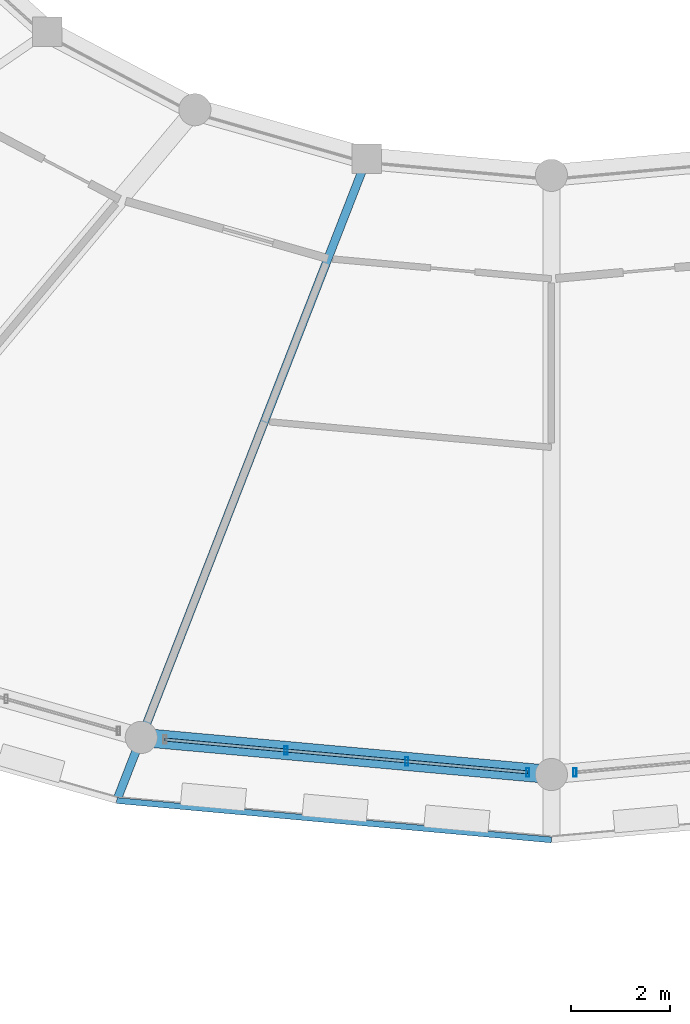
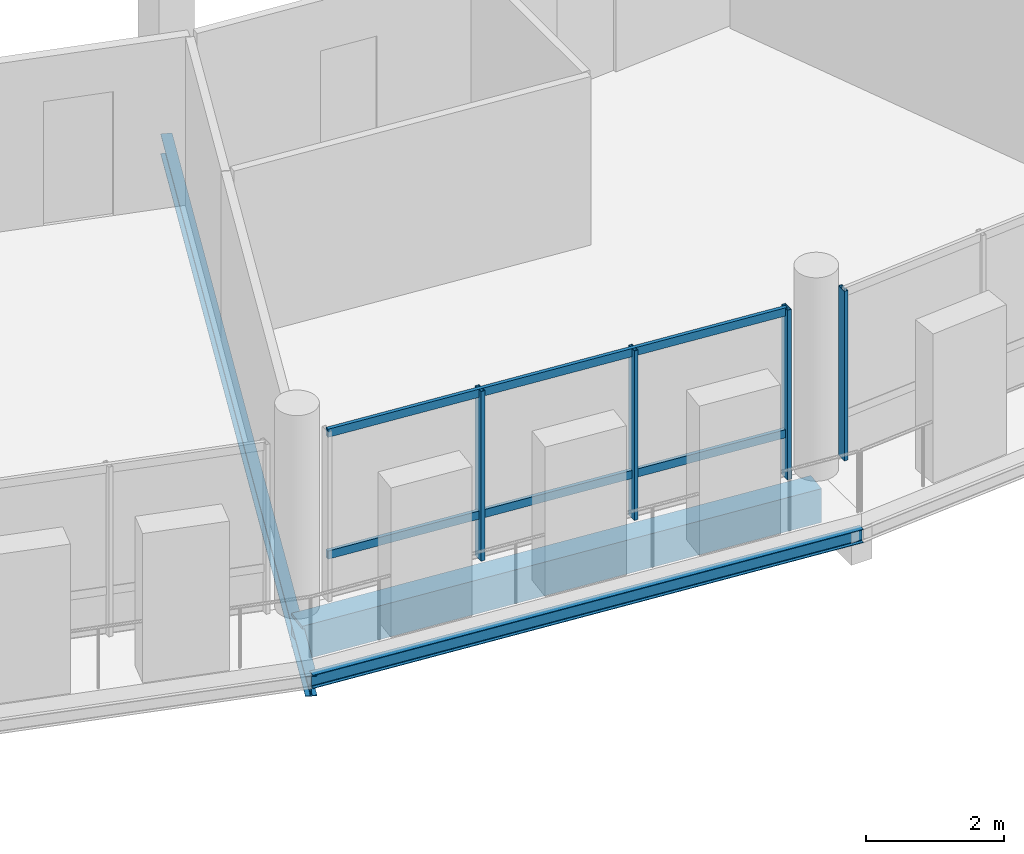
# One storey, part 22 of 93: 6 members, 3 beams, 2 elements without a shape of their own.
"""IFC4 building model written with IfcOpenShell, lengths in metres."""

import ifcopenshell
import ifcopenshell.guid

model = None  # the IFC model being written
_history = None  # IfcOwnerHistory: only IFC2X3 demands one
_inside = {}  # id of a spatial element -> (the spatial element, [elements in it])
_under = {}  # id of a project, library or spatial element -> (it, [spatial elements below it])
_declared = {}  # id of a project -> (the project, [libraries it declares])
_typed = {}  # id of a type object -> (the type object, [elements of that type])
_made_of = {}  # id of a material, layer set ... -> (it, [elements and type objects made of it])


def new_model(schema):
    """Start an empty IFC model of exactly this schema.

    Asked for "IFC4X3", IfcOpenShell would pick the latest addendum, in which some entities
    have other attributes; the version numbers below select the first issue.
    IFC2X3 requires an IfcOwnerHistory on every rooted entity: one is made here for all.
    """
    global model, _history
    if schema == "IFC4X3":
        model = ifcopenshell.file(schema_version=(4, 3, 0, 0))
    else:
        model = ifcopenshell.file(schema=schema)
    _inside.clear()
    _under.clear()
    _declared.clear()
    _typed.clear()
    _made_of.clear()
    _history = None
    if model.schema == "IFC2X3":
        org = make("IfcOrganization", Name="unknown")
        user = make(
            "IfcPersonAndOrganization",
            ThePerson=make("IfcPerson", FamilyName="unknown"),
            TheOrganization=org,
        )
        app = make(
            "IfcApplication",
            ApplicationDeveloper=org,
            Version="unknown",
            ApplicationFullName="unknown",
            ApplicationIdentifier="unknown",
        )
        _history = make(
            "IfcOwnerHistory",
            OwningUser=user,
            OwningApplication=app,
            ChangeAction="ADDED",
            CreationDate=0,
        )
    return model


def make(cls, **values):
    """One entity of the class cls with the attributes given. An attribute that is None is left unset."""
    return model.create_entity(
        cls, **{name: value for name, value in values.items() if value is not None}
    )


def rooted(cls, **values):
    """An entity with a GlobalId (a new one), such as an element, a storey or a relation."""
    return make(cls, GlobalId=ifcopenshell.guid.new(), OwnerHistory=_history, **values)


def si_unit(unit_type, name, prefix=None):
    """IfcSIUnit, for example si_unit("LENGTHUNIT", "METRE", prefix="MILLI")."""
    return make("IfcSIUnit", UnitType=unit_type, Prefix=prefix, Name=name)


def assignment(units):
    """IfcUnitAssignment: the units of a project."""
    return None if units is None else make("IfcUnitAssignment", Units=units)


def point(xyz):
    """IfcCartesianPoint."""
    return None if xyz is None else make("IfcCartesianPoint", Coordinates=xyz)


def direction(xyz):
    """IfcDirection."""
    return None if xyz is None else make("IfcDirection", DirectionRatios=xyz)


def frame(location, z_axis=None, x_axis=None):
    """IfcAxis2Placement3D, a coordinate frame: its origin and axes. An axis left out is left unset."""
    return make(
        "IfcAxis2Placement3D",
        Location=point(location),
        Axis=direction(z_axis),
        RefDirection=direction(x_axis),
    )


def frame_2d(location, x_axis=None):
    """IfcAxis2Placement2D, a coordinate frame in the plane: its origin and x axis."""
    return make(
        "IfcAxis2Placement2D", Location=point(location), RefDirection=direction(x_axis)
    )


def origin():
    """The frame at (0, 0, 0) with its axes left unset."""
    return frame((0.0, 0.0, 0.0))


def origin_2d():
    """The frame at (0, 0) in the plane with its x axis left unset."""
    return frame_2d((0.0, 0.0))


def place(relative_to, where):
    """IfcLocalPlacement: puts the frame where relative to a parent placement (None: the world)."""
    return make(
        "IfcLocalPlacement", PlacementRelTo=relative_to, RelativePlacement=where
    )


def context(
    kind, dimensions, precision=None, world=None, true_north=None, identifier=None
):
    """IfcGeometricRepresentationContext, for example the 3D "Model" context."""
    return make(
        "IfcGeometricRepresentationContext",
        ContextIdentifier=identifier,
        ContextType=kind,
        CoordinateSpaceDimension=dimensions,
        Precision=precision,
        WorldCoordinateSystem=world,
        TrueNorth=true_north,
    )


def subcontext(parent, identifier, kind, view, scale=None):
    """IfcGeometricRepresentationSubContext, for example "Body" below "Model"."""
    return make(
        "IfcGeometricRepresentationSubContext",
        ContextIdentifier=identifier,
        ContextType=kind,
        ParentContext=parent,
        TargetScale=scale,
        TargetView=view,
    )


def project(units=None, contexts=None):
    """IfcProject with its units and contexts."""
    return rooted(
        "IfcProject",
        Name="project",
        RepresentationContexts=contexts,
        UnitsInContext=assignment(units),
    )


def spatial(cls, under=None, at=None, **own):
    """A site, building, storey or space (cls), placed at a placement, below another one or the project."""
    s = rooted(cls, ObjectPlacement=at, **own)
    if under is not None:
        _under.setdefault(under.id(), (under, []))[1].append(s)
    return s


def profile(cls, at=None, kind="AREA", **sizes):
    """A parametric profile (cls). Its sizes go by their IFC names, for example OverallWidth=200.0."""
    return make(cls, ProfileType=kind, Position=at, **sizes)


def rectangle(**sizes):
    """IfcRectangleProfileDef."""
    return profile("IfcRectangleProfileDef", **sizes)


def hollow_rectangle(**sizes):
    """IfcRectangleHollowProfileDef."""
    return profile("IfcRectangleHollowProfileDef", **sizes)


def i_section(**sizes):
    """IfcIShapeProfileDef."""
    return profile("IfcIShapeProfileDef", **sizes)


def extrude(swept, where, along, depth):
    """IfcExtrudedAreaSolid: the profile swept, set in the frame where, extruded along a direction by depth."""
    return make(
        "IfcExtrudedAreaSolid",
        SweptArea=swept,
        Position=where,
        ExtrudedDirection=direction(along),
        Depth=depth,
    )


def shape(context_of_items, identifier, shape_type, items):
    """IfcShapeRepresentation: the items that make up one representation, for example the "Body"."""
    return make(
        "IfcShapeRepresentation",
        ContextOfItems=context_of_items,
        RepresentationIdentifier=identifier,
        RepresentationType=shape_type,
        Items=items,
    )


def material(Name=None, Category=None):
    """IfcMaterial."""
    return make("IfcMaterial", Name=Name, Category=Category)


def material_profile(
    of_material, cross_section, Name=None, Category=None, Priority=None
):
    """IfcMaterialProfile: a cross section and its material."""
    return make(
        "IfcMaterialProfile",
        Name=Name,
        Material=of_material,
        Profile=cross_section,
        Priority=Priority,
        Category=Category,
    )


def profile_set(profiles, Name=None, composite=None):
    """IfcMaterialProfileSet."""
    return make(
        "IfcMaterialProfileSet",
        Name=Name,
        MaterialProfiles=profiles,
        CompositeProfile=composite,
    )


def made_of(thing, what):
    """Note that an element or type object is made of a material, layer set ...; save() writes the relation."""
    if what is not None:
        _made_of.setdefault(what.id(), (what, []))[1].append(thing)
    return thing


def type_object(cls, material=None, **own):
    """A type object (cls), such as IfcWallType, which elements share."""
    return made_of(rooted(cls, **own), material)


def element(
    cls,
    number,
    at=None,
    inside=None,
    cuts=None,
    type_object=None,
    material=None,
    context=None,
    identifier="Body",
    shape_type=None,
    held_by="IfcProductDefinitionShape",
    body=None,
    shapes=None,
    **own,
):
    """One element of the class cls, such as IfcWall. Its Tag is "e" and its number.

    at: its placement. inside: the storey or other place that contains it. cuts: it is an
    opening in that element (IfcRelVoidsElement). A single representation is given by context,
    identifier, shape_type and body (its items); several are given by shapes. held_by: the class
    of the entity that holds the representations. save() writes the other relations.
    """
    e = rooted(cls, Tag="e%d" % number, ObjectPlacement=at, **own)
    if body is not None:
        shapes = [shape(context, identifier, shape_type, body)]
    if shapes is not None:
        e.Representation = make(held_by, Representations=shapes)
    if inside is not None:
        _inside.setdefault(inside.id(), (inside, []))[1].append(e)
    if cuts is not None:
        rooted(
            "IfcRelVoidsElement", RelatingBuildingElement=cuts, RelatedOpeningElement=e
        )
    if type_object is not None:
        _typed.setdefault(type_object.id(), (type_object, []))[1].append(e)
    return made_of(e, material)


def aggregate(whole, parts):
    """IfcRelAggregates: a whole, such as a stair, and the parts it consists of."""
    return rooted("IfcRelAggregates", RelatingObject=whole, RelatedObjects=parts)


def save(model, path):
    """Write the relations noted so far, then the file.

    IfcRelAggregates (storeys below a building ...), IfcRelContainedInSpatialStructure (elements
    in a storey), IfcRelDefinesByType, IfcRelAssociatesMaterial and IfcRelDeclares: one each for
    every whole, place, type object, material and project.
    """
    for whole, parts in _under.values():
        aggregate(whole, parts)
    for where, things in _inside.values():
        rooted(
            "IfcRelContainedInSpatialStructure",
            RelatedElements=things,
            RelatingStructure=where,
        )
    for kind, things in _typed.values():
        rooted("IfcRelDefinesByType", RelatedObjects=things, RelatingType=kind)
    for what, things in _made_of.values():
        rooted("IfcRelAssociatesMaterial", RelatedObjects=things, RelatingMaterial=what)
    for by, libraries in _declared.values():
        rooted("IfcRelDeclares", RelatingContext=by, RelatedDefinitions=libraries)
    model.write(path)


model = new_model("IFC4")

# Units and contexts
model_context = context("Model", 3, precision=1e-05, world=origin(), true_north=direction((0.0, 1.0)))
body_context = subcontext(model_context, "Body", "Model", "MODEL_VIEW")
ifc_project = project(units=[si_unit("LENGTHUNIT", "METRE"), si_unit("AREAUNIT", "SQUARE_METRE"), si_unit("VOLUMEUNIT", "CUBIC_METRE"), si_unit("PLANEANGLEUNIT", "RADIAN"), si_unit("MASSUNIT", "GRAM", prefix="KILO")], contexts=[model_context])

# Site, building, storey
site_placement = place(None, origin())
site = spatial("IfcSite", under=ifc_project, at=site_placement, CompositionType="ELEMENT")
building_placement = place(site_placement, origin())
building = spatial("IfcBuilding", under=site, at=building_placement, Name="Zornivar Specialist Clinic", CompositionType="ELEMENT")
storey_placement = place(building_placement, frame((0.0, 0.0, 8.39990234375)))
storey = spatial("IfcBuildingStorey", under=building, at=storey_placement, Name="L02", CompositionType="ELEMENT", Elevation=8.39990234375)

# Beams
ifc_material_1 = material(Name="Concrete C30/37", Category="concrete")
ifc_material_profile_1 = material_profile(ifc_material_1, rectangle(XDim=0.3701171875, YDim=0.60009765625, at=origin_2d()), Name="RC 370x600")
ifc_profile_set_1 = profile_set([ifc_material_profile_1], Name="Concrete C30/37")
beam_type_1 = type_object("IfcBeamType", Name="BM-RC-SPANDREL-370x600", PredefinedType="SPANDREL", material=ifc_profile_set_1)
beam_1_placement = place(storey_placement, frame((85.318115234375, 36.35009765625, -0.539794921875), z_axis=(0.99592467027, -0.09018897465, 0.0), x_axis=(0.09018897465, 0.99592467027, 0.0)))
element("IfcBeam", 1, at=beam_1_placement, inside=storey, type_object=beam_type_1, Name="bm:V1:L02:outring:17", PredefinedType="SPANDREL", context=body_context, shape_type="SweptSolid", body=[
    extrude(rectangle(XDim=0.3701171875, YDim=0.60009765625, at=origin_2d()), origin(), (0.0, 0.0, 1.0), 8.31591796875),
])
ifc_material_2 = material(Name="Steel S355J2", Category="steel")
ifc_material_profile_2 = material_profile(ifc_material_2, i_section(OverallWidth=0.1201171875, OverallDepth=0.239990234375, WebThickness=0.006103515625, FlangeThickness=0.009765625, FilletRadius=0.014892578125, at=origin_2d()), Name="IPE 240")
ifc_profile_set_2 = profile_set([ifc_material_profile_2], Name="Steel S355J2")
beam_type_2 = type_object("IfcBeamType", Name="BM-STL-IPE240", PredefinedType="JOIST", material=ifc_profile_set_2)
beam_2_placement = place(storey_placement, frame((84.821044921875, 35.074951171875, -0.35986328125), z_axis=(0.995925605957, -0.090178641592, 0.0), x_axis=(0.090178641592, 0.995925605957, 0.0)))
element("IfcBeam", 2, at=beam_2_placement, inside=storey, type_object=beam_type_2, Name="bm:V1:L02:balring:17", PredefinedType="JOIST", context=body_context, shape_type="SweptSolid", body=[
    extrude(i_section(OverallWidth=0.1201171875, OverallDepth=0.239990234375, WebThickness=0.006103515625, FlangeThickness=0.009765625, FilletRadius=0.014892578125, at=origin_2d()), origin(), (0.0, 0.0, 1.0), 8.81494140625),
])
ifc_material_3 = material(Name="Steel S355J2", Category="steel")
ifc_material_profile_3 = material_profile(ifc_material_3, i_section(OverallWidth=0.169921875, OverallDepth=0.360107421875, WebThickness=0.008056640625, FlangeThickness=0.0126953125, FilletRadius=0.01806640625, at=origin_2d()), Name="IPE 360")
ifc_profile_set_3 = profile_set([ifc_material_profile_3], Name="Steel S355J2")
beam_type_3 = type_object("IfcBeamType", Name="BM-STL-IPE360", PredefinedType="BEAM", material=ifc_profile_set_3)
beam_3_placement = place(storey_placement, frame((89.873046875, 48.037109375, -0.469970703125), z_axis=(-0.363143135914, -0.931733364669, 0.0), x_axis=(0.931733364669, -0.363143135914, 0.0)))
element("IfcBeam", 3, at=beam_3_placement, inside=storey, type_object=beam_type_3, Name="bm:V1:L02:radmid:17", PredefinedType="BEAM", context=body_context, shape_type="SweptSolid", body=[
    extrude(i_section(OverallWidth=0.169921875, OverallDepth=0.360107421875, WebThickness=0.008056640625, FlangeThickness=0.0126953125, FilletRadius=0.01806640625, at=origin_2d()), origin(), (0.0, 0.0, 1.0), 13.911865234375),
])

# Curtain wall, members
ifc_material_4 = material(Name="Aluminium and Low-E Glass Curtain Wall", Category="aluminium")
curtain_wall_type = type_object("IfcCurtainWallType", Name="CW-DRUM-FACET", PredefinedType="NOTDEFINED", material=ifc_material_4)
curtain_wall_1_placement = place(storey_placement, origin())
curtain_wall_1 = element("IfcCurtainWall", 4, at=curtain_wall_1_placement, inside=storey, type_object=curtain_wall_type, Name="cw:V1:L02:c17", PredefinedType="NOTDEFINED")
ifc_material_5 = material(Name="Aluminium AW-6060", Category="aluminium")
ifc_material_profile_4 = material_profile(ifc_material_5, hollow_rectangle(XDim=0.06494140625, YDim=0.175048828125, WallThickness=0.00439453125, at=origin_2d()), Name="ALU 65x175x4.5")
ifc_profile_set_4 = profile_set([ifc_material_profile_4], Name="Aluminium AW-6060")
member_type_1 = type_object("IfcMemberType", Name="CWM-MUL-175", PredefinedType="MULLION", material=ifc_profile_set_4)
member_1_placement = place(storey_placement, frame((88.238037109375, 36.0849609375, 0.0), z_axis=(0.0, 0.0, 1.0), x_axis=(1.0, 0.0, 0.0)))
member_1 = element("IfcMember", 5, at=member_1_placement, type_object=member_type_1, Name="cw:V1:L02:c17:mul:1", PredefinedType="MULLION", context=body_context, shape_type="SweptSolid", body=[
    extrude(hollow_rectangle(XDim=0.06494140625, YDim=0.175048828125, WallThickness=0.00439453125, at=origin_2d()), origin(), (0.0, 0.0, 1.0), 3.010009765625),
])
member_2_placement = place(storey_placement, frame((90.679931640625, 35.864013671875, 0.0), z_axis=(0.0, 0.0, 1.0), x_axis=(1.0, 0.0, 0.0)))
member_2 = element("IfcMember", 6, at=member_2_placement, type_object=member_type_1, Name="cw:V1:L02:c17:mul:2", PredefinedType="MULLION", context=body_context, shape_type="SweptSolid", body=[
    extrude(hollow_rectangle(XDim=0.06494140625, YDim=0.175048828125, WallThickness=0.00439453125, at=origin_2d()), origin(), (0.0, 0.0, 1.0), 3.010009765625),
])
member_3_placement = place(storey_placement, frame((93.1220703125, 35.64306640625, 0.0), z_axis=(0.0, 0.0, 1.0), x_axis=(1.0, 0.0, 0.0)))
member_3 = element("IfcMember", 7, at=member_3_placement, type_object=member_type_1, Name="cw:V1:L02:c17:mul:3", PredefinedType="MULLION", context=body_context, shape_type="SweptSolid", body=[
    extrude(hollow_rectangle(XDim=0.06494140625, YDim=0.175048828125, WallThickness=0.00439453125, at=origin_2d()), origin(), (0.0, 0.0, 1.0), 3.010009765625),
])

# Curtain wall, member
curtain_wall_2_placement = place(storey_placement, origin())
curtain_wall_2 = element("IfcCurtainWall", 8, at=curtain_wall_2_placement, inside=storey, type_object=curtain_wall_type, Name="cw:V1:L02:c18", PredefinedType="NOTDEFINED")
member_4_placement = place(storey_placement, frame((94.077880859375, 35.64404296875, 0.0), z_axis=(0.0, 0.0, 1.0), x_axis=(1.0, 0.0, 0.0)))
member_4 = element("IfcMember", 9, at=member_4_placement, type_object=member_type_1, Name="cw:V1:L02:c18:mul:0", PredefinedType="MULLION", context=body_context, shape_type="SweptSolid", body=[
    extrude(hollow_rectangle(XDim=0.06494140625, YDim=0.175048828125, WallThickness=0.00439453125, at=origin_2d()), origin(), (0.0, 0.0, 1.0), 3.010009765625),
])
aggregate(curtain_wall_2, [member_4])

# Member
ifc_material_6 = material(Name="Aluminium AW-6060", Category="aluminium")
ifc_material_profile_5 = material_profile(ifc_material_6, hollow_rectangle(XDim=0.06005859375, YDim=0.14501953125, WallThickness=0.00390625, at=origin_2d()), Name="ALU 60x145x4")
ifc_profile_set_5 = profile_set([ifc_material_profile_5], Name="Aluminium AW-6060")
member_type_2 = type_object("IfcMemberType", Name="CWM-TRN-145", PredefinedType="USERDEFINED", material=ifc_profile_set_5)
member_5_placement = place(storey_placement, frame((85.7958984375, 36.305908203125, 0.783203125), z_axis=(0.995943921343, -0.089976138722, 0.0), x_axis=(0.089976138722, 0.995943921343, 0.0)))
member_5 = element("IfcMember", 10, at=member_5_placement, type_object=member_type_2, Name="cw:V1:L02:c17:trn:0", ObjectType="TRANSOM", PredefinedType="USERDEFINED", context=body_context, shape_type="SweptSolid", body=[
    extrude(hollow_rectangle(XDim=0.06005859375, YDim=0.14501953125, WallThickness=0.00390625, at=origin_2d()), origin(), (0.0, 0.0, 1.0), 7.35595703125),
])

member_6_placement = place(storey_placement, frame((85.7958984375, 36.305908203125, 2.945068359375), z_axis=(0.995943921343, -0.089976138722, 0.0), x_axis=(0.089976138722, 0.995943921343, 0.0)))
member_6 = element("IfcMember", 11, at=member_6_placement, type_object=member_type_2, Name="cw:V1:L02:c17:trn:1", ObjectType="TRANSOM", PredefinedType="USERDEFINED", context=body_context, shape_type="SweptSolid", body=[
    extrude(hollow_rectangle(XDim=0.06005859375, YDim=0.14501953125, WallThickness=0.00390625, at=origin_2d()), origin(), (0.0, 0.0, 1.0), 7.35595703125),
])

aggregate(curtain_wall_1, [member_1, member_2, member_3, member_5, member_6])

save(model, "model.ifc")
